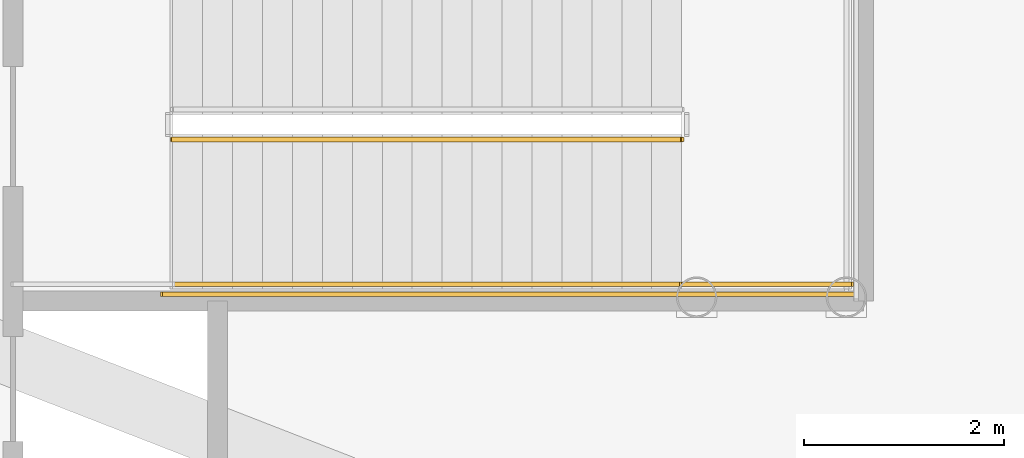
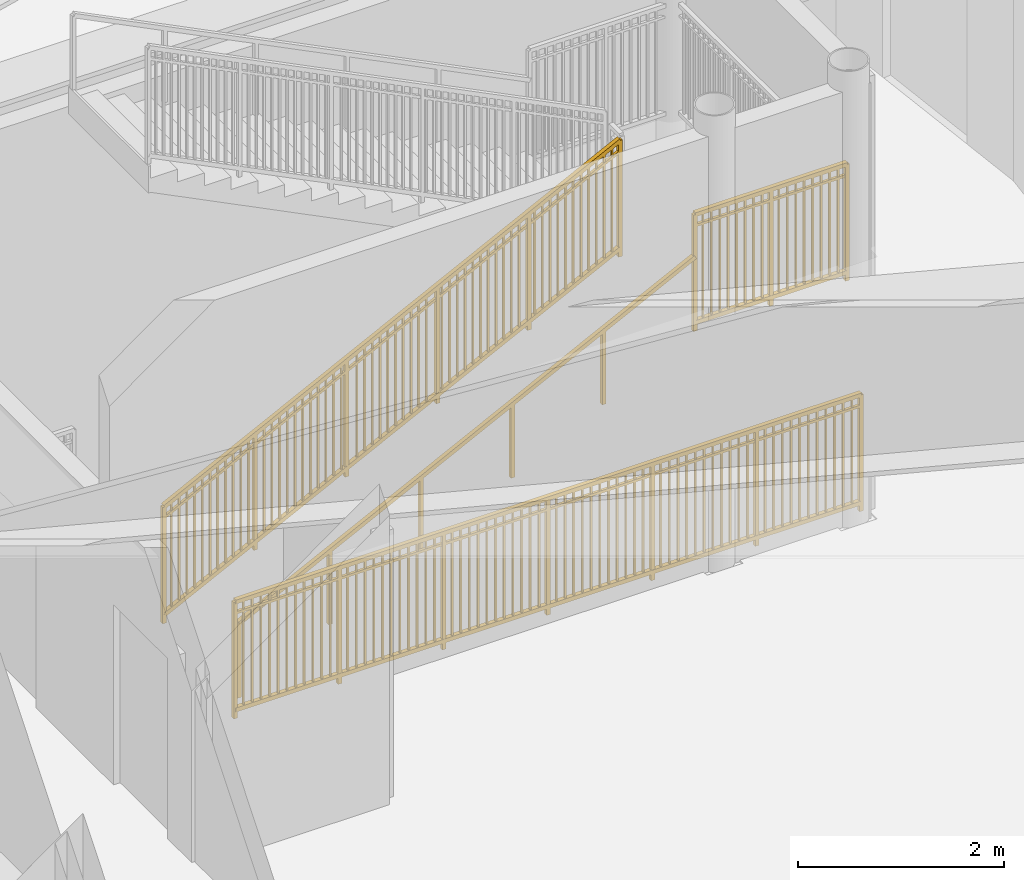
# One storey, part 37 of 39: 4 railings.
"""IFC4 building model written with IfcOpenShell, lengths in metres."""

import ifcopenshell
import ifcopenshell.guid

model = None  # the IFC model being written
_history = None  # IfcOwnerHistory: only IFC2X3 demands one
_inside = {}  # id of a spatial element -> (the spatial element, [elements in it])
_under = {}  # id of a project, library or spatial element -> (it, [spatial elements below it])
_declared = {}  # id of a project -> (the project, [libraries it declares])
_typed = {}  # id of a type object -> (the type object, [elements of that type])
_made_of = {}  # id of a material, layer set ... -> (it, [elements and type objects made of it])


def new_model(schema):
    """Start an empty IFC model of exactly this schema.

    Asked for "IFC4X3", IfcOpenShell would pick the latest addendum, in which some entities
    have other attributes; the version numbers below select the first issue.
    IFC2X3 requires an IfcOwnerHistory on every rooted entity: one is made here for all.
    """
    global model, _history
    if schema == "IFC4X3":
        model = ifcopenshell.file(schema_version=(4, 3, 0, 0))
    else:
        model = ifcopenshell.file(schema=schema)
    _inside.clear()
    _under.clear()
    _declared.clear()
    _typed.clear()
    _made_of.clear()
    _history = None
    if model.schema == "IFC2X3":
        org = make("IfcOrganization", Name="unknown")
        user = make(
            "IfcPersonAndOrganization",
            ThePerson=make("IfcPerson", FamilyName="unknown"),
            TheOrganization=org,
        )
        app = make(
            "IfcApplication",
            ApplicationDeveloper=org,
            Version="unknown",
            ApplicationFullName="unknown",
            ApplicationIdentifier="unknown",
        )
        _history = make(
            "IfcOwnerHistory",
            OwningUser=user,
            OwningApplication=app,
            ChangeAction="ADDED",
            CreationDate=0,
        )
    return model


def make(cls, **values):
    """One entity of the class cls with the attributes given. An attribute that is None is left unset."""
    return model.create_entity(
        cls, **{name: value for name, value in values.items() if value is not None}
    )


def rooted(cls, **values):
    """An entity with a GlobalId (a new one), such as an element, a storey or a relation."""
    return make(cls, GlobalId=ifcopenshell.guid.new(), OwnerHistory=_history, **values)


def si_unit(unit_type, name, prefix=None):
    """IfcSIUnit, for example si_unit("LENGTHUNIT", "METRE", prefix="MILLI")."""
    return make("IfcSIUnit", UnitType=unit_type, Prefix=prefix, Name=name)


def assignment(units):
    """IfcUnitAssignment: the units of a project."""
    return None if units is None else make("IfcUnitAssignment", Units=units)


def point(xyz):
    """IfcCartesianPoint."""
    return None if xyz is None else make("IfcCartesianPoint", Coordinates=xyz)


def direction(xyz):
    """IfcDirection."""
    return None if xyz is None else make("IfcDirection", DirectionRatios=xyz)


def frame(location, z_axis=None, x_axis=None):
    """IfcAxis2Placement3D, a coordinate frame: its origin and axes. An axis left out is left unset."""
    return make(
        "IfcAxis2Placement3D",
        Location=point(location),
        Axis=direction(z_axis),
        RefDirection=direction(x_axis),
    )


def frame_2d(location, x_axis=None):
    """IfcAxis2Placement2D, a coordinate frame in the plane: its origin and x axis."""
    return make(
        "IfcAxis2Placement2D", Location=point(location), RefDirection=direction(x_axis)
    )


def origin():
    """The frame at (0, 0, 0) with its axes left unset."""
    return frame((0.0, 0.0, 0.0))


def origin_2d():
    """The frame at (0, 0) in the plane with its x axis left unset."""
    return frame_2d((0.0, 0.0))


def place(relative_to, where):
    """IfcLocalPlacement: puts the frame where relative to a parent placement (None: the world)."""
    return make(
        "IfcLocalPlacement", PlacementRelTo=relative_to, RelativePlacement=where
    )


def context(
    kind, dimensions, precision=None, world=None, true_north=None, identifier=None
):
    """IfcGeometricRepresentationContext, for example the 3D "Model" context."""
    return make(
        "IfcGeometricRepresentationContext",
        ContextIdentifier=identifier,
        ContextType=kind,
        CoordinateSpaceDimension=dimensions,
        Precision=precision,
        WorldCoordinateSystem=world,
        TrueNorth=true_north,
    )


def subcontext(parent, identifier, kind, view, scale=None):
    """IfcGeometricRepresentationSubContext, for example "Body" below "Model"."""
    return make(
        "IfcGeometricRepresentationSubContext",
        ContextIdentifier=identifier,
        ContextType=kind,
        ParentContext=parent,
        TargetScale=scale,
        TargetView=view,
    )


def project(units=None, contexts=None):
    """IfcProject with its units and contexts."""
    return rooted(
        "IfcProject",
        Name="project",
        RepresentationContexts=contexts,
        UnitsInContext=assignment(units),
    )


def spatial(cls, under=None, at=None, **own):
    """A site, building, storey or space (cls), placed at a placement, below another one or the project."""
    s = rooted(cls, ObjectPlacement=at, **own)
    if under is not None:
        _under.setdefault(under.id(), (under, []))[1].append(s)
    return s


def profile(cls, at=None, kind="AREA", **sizes):
    """A parametric profile (cls). Its sizes go by their IFC names, for example OverallWidth=200.0."""
    return make(cls, ProfileType=kind, Position=at, **sizes)


def rectangle(**sizes):
    """IfcRectangleProfileDef."""
    return profile("IfcRectangleProfileDef", **sizes)


def extrude(swept, where, along, depth):
    """IfcExtrudedAreaSolid: the profile swept, set in the frame where, extruded along a direction by depth."""
    return make(
        "IfcExtrudedAreaSolid",
        SweptArea=swept,
        Position=where,
        ExtrudedDirection=direction(along),
        Depth=depth,
    )


def shape(context_of_items, identifier, shape_type, items):
    """IfcShapeRepresentation: the items that make up one representation, for example the "Body"."""
    return make(
        "IfcShapeRepresentation",
        ContextOfItems=context_of_items,
        RepresentationIdentifier=identifier,
        RepresentationType=shape_type,
        Items=items,
    )


def source(mapping_origin, context_of_items, identifier, shape_type, items):
    """IfcRepresentationMap: a shape defined once, which mapped items show again and again."""
    return make(
        "IfcRepresentationMap",
        MappingOrigin=mapping_origin,
        MappedRepresentation=shape(context_of_items, identifier, shape_type, items),
    )


def transform(
    local_origin,
    x_axis=None,
    y_axis=None,
    z_axis=None,
    scale=None,
    scale2=None,
    scale3=None,
    uniform=True,
):
    """IfcCartesianTransformationOperator3D, or its non-uniform kind. x_axis, y_axis, z_axis: its Axis1, 2, 3."""
    if uniform:
        return make(
            "IfcCartesianTransformationOperator3D",
            Axis1=direction(x_axis),
            Axis2=direction(y_axis),
            LocalOrigin=point(local_origin),
            Scale=scale,
            Axis3=direction(z_axis),
        )
    return make(
        "IfcCartesianTransformationOperator3DnonUniform",
        Axis1=direction(x_axis),
        Axis2=direction(y_axis),
        LocalOrigin=point(local_origin),
        Scale=scale,
        Axis3=direction(z_axis),
        Scale2=scale2,
        Scale3=scale3,
    )


def mapped(mapping_source, mapping_target):
    """IfcMappedItem: shows the shape of a source again, moved by a transform."""
    return make(
        "IfcMappedItem", MappingSource=mapping_source, MappingTarget=mapping_target
    )


def material(Name=None, Category=None):
    """IfcMaterial."""
    return make("IfcMaterial", Name=Name, Category=Category)


def made_of(thing, what):
    """Note that an element or type object is made of a material, layer set ...; save() writes the relation."""
    if what is not None:
        _made_of.setdefault(what.id(), (what, []))[1].append(thing)
    return thing


def type_object(cls, material=None, **own):
    """A type object (cls), such as IfcWallType, which elements share."""
    return made_of(rooted(cls, **own), material)


def element(
    cls,
    number,
    at=None,
    inside=None,
    cuts=None,
    type_object=None,
    material=None,
    context=None,
    identifier="Body",
    shape_type=None,
    held_by="IfcProductDefinitionShape",
    body=None,
    shapes=None,
    **own,
):
    """One element of the class cls, such as IfcWall. Its Tag is "e" and its number.

    at: its placement. inside: the storey or other place that contains it. cuts: it is an
    opening in that element (IfcRelVoidsElement). A single representation is given by context,
    identifier, shape_type and body (its items); several are given by shapes. held_by: the class
    of the entity that holds the representations. save() writes the other relations.
    """
    e = rooted(cls, Tag="e%d" % number, ObjectPlacement=at, **own)
    if body is not None:
        shapes = [shape(context, identifier, shape_type, body)]
    if shapes is not None:
        e.Representation = make(held_by, Representations=shapes)
    if inside is not None:
        _inside.setdefault(inside.id(), (inside, []))[1].append(e)
    if cuts is not None:
        rooted(
            "IfcRelVoidsElement", RelatingBuildingElement=cuts, RelatedOpeningElement=e
        )
    if type_object is not None:
        _typed.setdefault(type_object.id(), (type_object, []))[1].append(e)
    return made_of(e, material)


def aggregate(whole, parts):
    """IfcRelAggregates: a whole, such as a stair, and the parts it consists of."""
    return rooted("IfcRelAggregates", RelatingObject=whole, RelatedObjects=parts)


def save(model, path):
    """Write the relations noted so far, then the file.

    IfcRelAggregates (storeys below a building ...), IfcRelContainedInSpatialStructure (elements
    in a storey), IfcRelDefinesByType, IfcRelAssociatesMaterial and IfcRelDeclares: one each for
    every whole, place, type object, material and project.
    """
    for whole, parts in _under.values():
        aggregate(whole, parts)
    for where, things in _inside.values():
        rooted(
            "IfcRelContainedInSpatialStructure",
            RelatedElements=things,
            RelatingStructure=where,
        )
    for kind, things in _typed.values():
        rooted("IfcRelDefinesByType", RelatedObjects=things, RelatingType=kind)
    for what, things in _made_of.values():
        rooted("IfcRelAssociatesMaterial", RelatedObjects=things, RelatingMaterial=what)
    for by, libraries in _declared.values():
        rooted("IfcRelDeclares", RelatingContext=by, RelatedDefinitions=libraries)
    model.write(path)


model = new_model("IFC4")

# Units and contexts
model_context = context("Model", 3, precision=1e-05, world=origin(), true_north=direction((0.0, 1.0)))
body_context = subcontext(model_context, "Body", "Model", "MODEL_VIEW")
ifc_project = project(units=[si_unit("LENGTHUNIT", "METRE"), si_unit("AREAUNIT", "SQUARE_METRE"), si_unit("VOLUMEUNIT", "CUBIC_METRE"), si_unit("PLANEANGLEUNIT", "RADIAN"), si_unit("MASSUNIT", "GRAM", prefix="KILO")], contexts=[model_context])

# Site, building, storey
site_placement = place(None, origin())
site = spatial("IfcSite", under=ifc_project, at=site_placement, CompositionType="ELEMENT")
building_placement = place(site_placement, origin())
building = spatial("IfcBuilding", under=site, at=building_placement, Name="Linh Dai School and Residence Tower", CompositionType="ELEMENT")
storey_placement = place(building_placement, frame((0.0, 0.0, 27.0)))
storey = spatial("IfcBuildingStorey", under=building, at=storey_placement, Name="L06", CompositionType="ELEMENT", Elevation=27.0)

# Railings
ifc_material_1 = material(Name="Structural Steel S355JR", Category="steel")
railing_type_1 = type_object("IfcRailingType", Name="RL-ST-GUARD-1400", PredefinedType="GUARDRAIL", material=ifc_material_1)
shared_shape_1 = source(origin(), body_context, "Body", "SweptSolid", [
    extrude(rectangle(XDim=0.048095703125, YDim=0.048095703125, at=origin_2d()), frame((0.0, 0.0, 1.3759765625), z_axis=(1.0, 0.0, 0.0), x_axis=(0.0, 1.0, 0.0)), (0.0, 0.0, 1.0), 7.0),
    extrude(rectangle(XDim=0.048095703125, YDim=0.048095703125, at=origin_2d()), frame((0.0, 0.0, 0.10009765625), z_axis=(1.0, 0.0, 0.0), x_axis=(0.0, 1.0, 0.0)), (0.0, 0.0, 1.0), 7.0),
    extrude(rectangle(XDim=0.030029296875, YDim=0.030029296875, at=origin_2d()), frame((0.0, 0.0, 1.239990234375), z_axis=(1.0, 0.0, 0.0), x_axis=(0.0, 1.0, 0.0)), (0.0, 0.0, 1.0), 7.0),
    extrude(rectangle(XDim=0.02001953125, YDim=0.02001953125, at=origin_2d()), frame((0.09716796875, 0.0, 0.10009765625)), (0.0, 0.0, 1.0), 1.251708984375),
    extrude(rectangle(XDim=0.02001953125, YDim=0.02001953125, at=origin_2d()), frame((0.1943359375, 0.0, 0.10009765625)), (0.0, 0.0, 1.0), 1.251708984375),
    extrude(rectangle(XDim=0.02001953125, YDim=0.02001953125, at=origin_2d()), frame((0.291748046875, 0.0, 0.10009765625)), (0.0, 0.0, 1.0), 1.251708984375),
    extrude(rectangle(XDim=0.02001953125, YDim=0.02001953125, at=origin_2d()), frame((0.388916015625, 0.0, 0.10009765625)), (0.0, 0.0, 1.0), 1.251708984375),
    extrude(rectangle(XDim=0.02001953125, YDim=0.02001953125, at=origin_2d()), frame((0.486083984375, 0.0, 0.10009765625)), (0.0, 0.0, 1.0), 1.251708984375),
    extrude(rectangle(XDim=0.02001953125, YDim=0.02001953125, at=origin_2d()), frame((0.583251953125, 0.0, 0.10009765625)), (0.0, 0.0, 1.0), 1.251708984375),
    extrude(rectangle(XDim=0.02001953125, YDim=0.02001953125, at=origin_2d()), frame((0.6806640625, 0.0, 0.10009765625)), (0.0, 0.0, 1.0), 1.251708984375),
    extrude(rectangle(XDim=0.02001953125, YDim=0.02001953125, at=origin_2d()), frame((0.77783203125, 0.0, 0.10009765625)), (0.0, 0.0, 1.0), 1.251708984375),
    extrude(rectangle(XDim=0.02001953125, YDim=0.02001953125, at=origin_2d()), frame((0.875, 0.0, 0.10009765625)), (0.0, 0.0, 1.0), 1.251708984375),
    extrude(rectangle(XDim=0.02001953125, YDim=0.02001953125, at=origin_2d()), frame((0.97216796875, 0.0, 0.10009765625)), (0.0, 0.0, 1.0), 1.251708984375),
    extrude(rectangle(XDim=0.02001953125, YDim=0.02001953125, at=origin_2d()), frame((1.0693359375, 0.0, 0.10009765625)), (0.0, 0.0, 1.0), 1.251708984375),
    extrude(rectangle(XDim=0.02001953125, YDim=0.02001953125, at=origin_2d()), frame((1.263916015625, 0.0, 0.10009765625)), (0.0, 0.0, 1.0), 1.251708984375),
    extrude(rectangle(XDim=0.02001953125, YDim=0.02001953125, at=origin_2d()), frame((1.361083984375, 0.0, 0.10009765625)), (0.0, 0.0, 1.0), 1.251708984375),
    extrude(rectangle(XDim=0.02001953125, YDim=0.02001953125, at=origin_2d()), frame((1.458251953125, 0.0, 0.10009765625)), (0.0, 0.0, 1.0), 1.251708984375),
    extrude(rectangle(XDim=0.02001953125, YDim=0.02001953125, at=origin_2d()), frame((1.5556640625, 0.0, 0.10009765625)), (0.0, 0.0, 1.0), 1.251708984375),
    extrude(rectangle(XDim=0.02001953125, YDim=0.02001953125, at=origin_2d()), frame((1.65283203125, 0.0, 0.10009765625)), (0.0, 0.0, 1.0), 1.251708984375),
    extrude(rectangle(XDim=0.02001953125, YDim=0.02001953125, at=origin_2d()), frame((1.75, 0.0, 0.10009765625)), (0.0, 0.0, 1.0), 1.251708984375),
    extrude(rectangle(XDim=0.02001953125, YDim=0.02001953125, at=origin_2d()), frame((1.84716796875, 0.0, 0.10009765625)), (0.0, 0.0, 1.0), 1.251708984375),
    extrude(rectangle(XDim=0.02001953125, YDim=0.02001953125, at=origin_2d()), frame((1.9443359375, 0.0, 0.10009765625)), (0.0, 0.0, 1.0), 1.251708984375),
    extrude(rectangle(XDim=0.02001953125, YDim=0.02001953125, at=origin_2d()), frame((2.041748046875, 0.0, 0.10009765625)), (0.0, 0.0, 1.0), 1.251708984375),
    extrude(rectangle(XDim=0.02001953125, YDim=0.02001953125, at=origin_2d()), frame((2.138916015625, 0.0, 0.10009765625)), (0.0, 0.0, 1.0), 1.251708984375),
    extrude(rectangle(XDim=0.02001953125, YDim=0.02001953125, at=origin_2d()), frame((2.236083984375, 0.0, 0.10009765625)), (0.0, 0.0, 1.0), 1.251708984375),
    extrude(rectangle(XDim=0.02001953125, YDim=0.02001953125, at=origin_2d()), frame((2.4306640625, 0.0, 0.10009765625)), (0.0, 0.0, 1.0), 1.251708984375),
    extrude(rectangle(XDim=0.02001953125, YDim=0.02001953125, at=origin_2d()), frame((2.52783203125, 0.0, 0.10009765625)), (0.0, 0.0, 1.0), 1.251708984375),
    extrude(rectangle(XDim=0.02001953125, YDim=0.02001953125, at=origin_2d()), frame((2.625, 0.0, 0.10009765625)), (0.0, 0.0, 1.0), 1.251708984375),
    extrude(rectangle(XDim=0.02001953125, YDim=0.02001953125, at=origin_2d()), frame((2.72216796875, 0.0, 0.10009765625)), (0.0, 0.0, 1.0), 1.251708984375),
    extrude(rectangle(XDim=0.02001953125, YDim=0.02001953125, at=origin_2d()), frame((2.8193359375, 0.0, 0.10009765625)), (0.0, 0.0, 1.0), 1.251708984375),
    extrude(rectangle(XDim=0.02001953125, YDim=0.02001953125, at=origin_2d()), frame((2.916748046875, 0.0, 0.10009765625)), (0.0, 0.0, 1.0), 1.251708984375),
    extrude(rectangle(XDim=0.02001953125, YDim=0.02001953125, at=origin_2d()), frame((3.013916015625, 0.0, 0.10009765625)), (0.0, 0.0, 1.0), 1.251708984375),
    extrude(rectangle(XDim=0.02001953125, YDim=0.02001953125, at=origin_2d()), frame((3.111083984375, 0.0, 0.10009765625)), (0.0, 0.0, 1.0), 1.251708984375),
    extrude(rectangle(XDim=0.02001953125, YDim=0.02001953125, at=origin_2d()), frame((3.208251953125, 0.0, 0.10009765625)), (0.0, 0.0, 1.0), 1.251708984375),
    extrude(rectangle(XDim=0.02001953125, YDim=0.02001953125, at=origin_2d()), frame((3.3056640625, 0.0, 0.10009765625)), (0.0, 0.0, 1.0), 1.251708984375),
    extrude(rectangle(XDim=0.02001953125, YDim=0.02001953125, at=origin_2d()), frame((3.40283203125, 0.0, 0.10009765625)), (0.0, 0.0, 1.0), 1.251708984375),
    extrude(rectangle(XDim=0.02001953125, YDim=0.02001953125, at=origin_2d()), frame((3.59716796875, 0.0, 0.10009765625)), (0.0, 0.0, 1.0), 1.251708984375),
    extrude(rectangle(XDim=0.02001953125, YDim=0.02001953125, at=origin_2d()), frame((3.6943359375, 0.0, 0.10009765625)), (0.0, 0.0, 1.0), 1.251708984375),
    extrude(rectangle(XDim=0.02001953125, YDim=0.02001953125, at=origin_2d()), frame((3.791748046875, 0.0, 0.10009765625)), (0.0, 0.0, 1.0), 1.251708984375),
    extrude(rectangle(XDim=0.02001953125, YDim=0.02001953125, at=origin_2d()), frame((3.888916015625, 0.0, 0.10009765625)), (0.0, 0.0, 1.0), 1.251708984375),
    extrude(rectangle(XDim=0.02001953125, YDim=0.02001953125, at=origin_2d()), frame((3.986083984375, 0.0, 0.10009765625)), (0.0, 0.0, 1.0), 1.251708984375),
    extrude(rectangle(XDim=0.02001953125, YDim=0.02001953125, at=origin_2d()), frame((4.083251953125, 0.0, 0.10009765625)), (0.0, 0.0, 1.0), 1.251708984375),
    extrude(rectangle(XDim=0.02001953125, YDim=0.02001953125, at=origin_2d()), frame((4.1806640625, 0.0, 0.10009765625)), (0.0, 0.0, 1.0), 1.251708984375),
    extrude(rectangle(XDim=0.02001953125, YDim=0.02001953125, at=origin_2d()), frame((4.27783203125, 0.0, 0.10009765625)), (0.0, 0.0, 1.0), 1.251708984375),
    extrude(rectangle(XDim=0.02001953125, YDim=0.02001953125, at=origin_2d()), frame((4.375, 0.0, 0.10009765625)), (0.0, 0.0, 1.0), 1.251708984375),
    extrude(rectangle(XDim=0.02001953125, YDim=0.02001953125, at=origin_2d()), frame((4.47216796875, 0.0, 0.10009765625)), (0.0, 0.0, 1.0), 1.251708984375),
    extrude(rectangle(XDim=0.02001953125, YDim=0.02001953125, at=origin_2d()), frame((4.5693359375, 0.0, 0.10009765625)), (0.0, 0.0, 1.0), 1.251708984375),
    extrude(rectangle(XDim=0.02001953125, YDim=0.02001953125, at=origin_2d()), frame((4.763916015625, 0.0, 0.10009765625)), (0.0, 0.0, 1.0), 1.251708984375),
    extrude(rectangle(XDim=0.02001953125, YDim=0.02001953125, at=origin_2d()), frame((4.861083984375, 0.0, 0.10009765625)), (0.0, 0.0, 1.0), 1.251708984375),
    extrude(rectangle(XDim=0.02001953125, YDim=0.02001953125, at=origin_2d()), frame((4.958251953125, 0.0, 0.10009765625)), (0.0, 0.0, 1.0), 1.251708984375),
    extrude(rectangle(XDim=0.02001953125, YDim=0.02001953125, at=origin_2d()), frame((5.0556640625, 0.0, 0.10009765625)), (0.0, 0.0, 1.0), 1.251708984375),
    extrude(rectangle(XDim=0.02001953125, YDim=0.02001953125, at=origin_2d()), frame((5.15283203125, 0.0, 0.10009765625)), (0.0, 0.0, 1.0), 1.251708984375),
    extrude(rectangle(XDim=0.02001953125, YDim=0.02001953125, at=origin_2d()), frame((5.25, 0.0, 0.10009765625)), (0.0, 0.0, 1.0), 1.251708984375),
    extrude(rectangle(XDim=0.02001953125, YDim=0.02001953125, at=origin_2d()), frame((5.34716796875, 0.0, 0.10009765625)), (0.0, 0.0, 1.0), 1.251708984375),
    extrude(rectangle(XDim=0.02001953125, YDim=0.02001953125, at=origin_2d()), frame((5.4443359375, 0.0, 0.10009765625)), (0.0, 0.0, 1.0), 1.251708984375),
    extrude(rectangle(XDim=0.02001953125, YDim=0.02001953125, at=origin_2d()), frame((5.541748046875, 0.0, 0.10009765625)), (0.0, 0.0, 1.0), 1.251708984375),
    extrude(rectangle(XDim=0.02001953125, YDim=0.02001953125, at=origin_2d()), frame((5.638916015625, 0.0, 0.10009765625)), (0.0, 0.0, 1.0), 1.251708984375),
    extrude(rectangle(XDim=0.02001953125, YDim=0.02001953125, at=origin_2d()), frame((5.736083984375, 0.0, 0.10009765625)), (0.0, 0.0, 1.0), 1.251708984375),
    extrude(rectangle(XDim=0.02001953125, YDim=0.02001953125, at=origin_2d()), frame((5.9306640625, 0.0, 0.10009765625)), (0.0, 0.0, 1.0), 1.251708984375),
    extrude(rectangle(XDim=0.02001953125, YDim=0.02001953125, at=origin_2d()), frame((6.02783203125, 0.0, 0.10009765625)), (0.0, 0.0, 1.0), 1.251708984375),
    extrude(rectangle(XDim=0.02001953125, YDim=0.02001953125, at=origin_2d()), frame((6.125, 0.0, 0.10009765625)), (0.0, 0.0, 1.0), 1.251708984375),
    extrude(rectangle(XDim=0.02001953125, YDim=0.02001953125, at=origin_2d()), frame((6.22216796875, 0.0, 0.10009765625)), (0.0, 0.0, 1.0), 1.251708984375),
    extrude(rectangle(XDim=0.02001953125, YDim=0.02001953125, at=origin_2d()), frame((6.3193359375, 0.0, 0.10009765625)), (0.0, 0.0, 1.0), 1.251708984375),
    extrude(rectangle(XDim=0.02001953125, YDim=0.02001953125, at=origin_2d()), frame((6.416748046875, 0.0, 0.10009765625)), (0.0, 0.0, 1.0), 1.251708984375),
    extrude(rectangle(XDim=0.02001953125, YDim=0.02001953125, at=origin_2d()), frame((6.513916015625, 0.0, 0.10009765625)), (0.0, 0.0, 1.0), 1.251708984375),
    extrude(rectangle(XDim=0.02001953125, YDim=0.02001953125, at=origin_2d()), frame((6.611083984375, 0.0, 0.10009765625)), (0.0, 0.0, 1.0), 1.251708984375),
    extrude(rectangle(XDim=0.02001953125, YDim=0.02001953125, at=origin_2d()), frame((6.708251953125, 0.0, 0.10009765625)), (0.0, 0.0, 1.0), 1.251708984375),
    extrude(rectangle(XDim=0.02001953125, YDim=0.02001953125, at=origin_2d()), frame((6.8056640625, 0.0, 0.10009765625)), (0.0, 0.0, 1.0), 1.251708984375),
    extrude(rectangle(XDim=0.02001953125, YDim=0.02001953125, at=origin_2d()), frame((6.90283203125, 0.0, 0.10009765625)), (0.0, 0.0, 1.0), 1.251708984375),
    extrude(rectangle(XDim=0.0419921875, YDim=0.0419921875, at=origin_2d()), origin(), (0.0, 0.0, 1.0), 1.3759765625),
    extrude(rectangle(XDim=0.0419921875, YDim=0.0419921875, at=origin_2d()), frame((1.166748046875, 0.0, 0.0)), (0.0, 0.0, 1.0), 1.3759765625),
    extrude(rectangle(XDim=0.0419921875, YDim=0.0419921875, at=origin_2d()), frame((2.333251953125, 0.0, 0.0)), (0.0, 0.0, 1.0), 1.3759765625),
    extrude(rectangle(XDim=0.0419921875, YDim=0.0419921875, at=origin_2d()), frame((3.5, 0.0, 0.0)), (0.0, 0.0, 1.0), 1.3759765625),
    extrude(rectangle(XDim=0.0419921875, YDim=0.0419921875, at=origin_2d()), frame((4.666748046875, 0.0, 0.0)), (0.0, 0.0, 1.0), 1.3759765625),
    extrude(rectangle(XDim=0.0419921875, YDim=0.0419921875, at=origin_2d()), frame((5.833251953125, 0.0, 0.0)), (0.0, 0.0, 1.0), 1.3759765625),
    extrude(rectangle(XDim=0.0419921875, YDim=0.0419921875, at=origin_2d()), frame((7.0, 0.0, 0.0)), (0.0, 0.0, 1.0), 1.3759765625),
])
railing_1_placement = place(storey_placement, frame((49.5, 22.949951171875, 0.0)))
element("IfcRailing", 1, at=railing_1_placement, inside=storey, type_object=railing_type_1, Name="L06 STS2 stair guard 10", PredefinedType="GUARDRAIL", context=body_context, shape_type="MappedRepresentation", body=[
    mapped(shared_shape_1, transform((0.0, 0.0, 0.0), x_axis=(1.0, 0.0, 0.0), y_axis=(0.0, 1.0, 0.0), z_axis=(0.0, 0.0, 1.0), scale=1.0)),
])
shared_shape_2 = source(origin(), body_context, "Body", "SweptSolid", [
    extrude(rectangle(XDim=0.048095703125, YDim=0.048095703125, at=origin_2d()), frame((0.0, 0.0, 1.3759765625), z_axis=(0.894418627299, 0.0, 0.447230722492), x_axis=(0.0, 1.0, 0.0)), (0.0, 0.0, 1.0), 5.701904296875),
    extrude(rectangle(XDim=0.048095703125, YDim=0.048095703125, at=origin_2d()), frame((0.0, 0.0, 0.10009765625), z_axis=(0.894418627299, 0.0, 0.447230722492), x_axis=(0.0, 1.0, 0.0)), (0.0, 0.0, 1.0), 5.701904296875),
    extrude(rectangle(XDim=0.030029296875, YDim=0.030029296875, at=origin_2d()), frame((0.0, 0.0, 1.239990234375), z_axis=(0.894418627299, 0.0, 0.447230722492), x_axis=(0.0, 1.0, 0.0)), (0.0, 0.0, 1.0), 5.701904296875),
    extrude(rectangle(XDim=0.02001953125, YDim=0.02001953125, at=origin_2d()), frame((0.08642578125, 0.0, 0.143310546875)), (0.0, 0.0, 1.0), 1.251708984375),
    extrude(rectangle(XDim=0.02001953125, YDim=0.02001953125, at=origin_2d()), frame((0.1728515625, 0.0, 0.1865234375)), (0.0, 0.0, 1.0), 1.251708984375),
    extrude(rectangle(XDim=0.02001953125, YDim=0.02001953125, at=origin_2d()), frame((0.25927734375, 0.0, 0.229736328125)), (0.0, 0.0, 1.0), 1.251708984375),
    extrude(rectangle(XDim=0.02001953125, YDim=0.02001953125, at=origin_2d()), frame((0.345703125, 0.0, 0.27294921875)), (0.0, 0.0, 1.0), 1.251708984375),
    extrude(rectangle(XDim=0.02001953125, YDim=0.02001953125, at=origin_2d()), frame((0.43212890625, 0.0, 0.316162109375)), (0.0, 0.0, 1.0), 1.251708984375),
    extrude(rectangle(XDim=0.02001953125, YDim=0.02001953125, at=origin_2d()), frame((0.5185546875, 0.0, 0.359375)), (0.0, 0.0, 1.0), 1.251708984375),
    extrude(rectangle(XDim=0.02001953125, YDim=0.02001953125, at=origin_2d()), frame((0.60498046875, 0.0, 0.402587890625)), (0.0, 0.0, 1.0), 1.251708984375),
    extrude(rectangle(XDim=0.02001953125, YDim=0.02001953125, at=origin_2d()), frame((0.69140625, 0.0, 0.44580078125)), (0.0, 0.0, 1.0), 1.251708984375),
    extrude(rectangle(XDim=0.02001953125, YDim=0.02001953125, at=origin_2d()), frame((0.77783203125, 0.0, 0.489013671875)), (0.0, 0.0, 1.0), 1.251708984375),
    extrude(rectangle(XDim=0.02001953125, YDim=0.02001953125, at=origin_2d()), frame((0.864501953125, 0.0, 0.5322265625)), (0.0, 0.0, 1.0), 1.251708984375),
    extrude(rectangle(XDim=0.02001953125, YDim=0.02001953125, at=origin_2d()), frame((0.950927734375, 0.0, 0.575439453125)), (0.0, 0.0, 1.0), 1.251708984375),
    extrude(rectangle(XDim=0.02001953125, YDim=0.02001953125, at=origin_2d()), frame((1.123779296875, 0.0, 0.661865234375)), (0.0, 0.0, 1.0), 1.251708984375),
    extrude(rectangle(XDim=0.02001953125, YDim=0.02001953125, at=origin_2d()), frame((1.210205078125, 0.0, 0.705078125)), (0.0, 0.0, 1.0), 1.251708984375),
    extrude(rectangle(XDim=0.02001953125, YDim=0.02001953125, at=origin_2d()), frame((1.296630859375, 0.0, 0.74853515625)), (0.0, 0.0, 1.0), 1.251708984375),
    extrude(rectangle(XDim=0.02001953125, YDim=0.02001953125, at=origin_2d()), frame((1.383056640625, 0.0, 0.791748046875)), (0.0, 0.0, 1.0), 1.251708984375),
    extrude(rectangle(XDim=0.02001953125, YDim=0.02001953125, at=origin_2d()), frame((1.469482421875, 0.0, 0.8349609375)), (0.0, 0.0, 1.0), 1.251708984375),
    extrude(rectangle(XDim=0.02001953125, YDim=0.02001953125, at=origin_2d()), frame((1.555908203125, 0.0, 0.878173828125)), (0.0, 0.0, 1.0), 1.251708984375),
    extrude(rectangle(XDim=0.02001953125, YDim=0.02001953125, at=origin_2d()), frame((1.642333984375, 0.0, 0.92138671875)), (0.0, 0.0, 1.0), 1.251708984375),
    extrude(rectangle(XDim=0.02001953125, YDim=0.02001953125, at=origin_2d()), frame((1.728759765625, 0.0, 0.964599609375)), (0.0, 0.0, 1.0), 1.251708984375),
    extrude(rectangle(XDim=0.02001953125, YDim=0.02001953125, at=origin_2d()), frame((1.815185546875, 0.0, 1.0078125)), (0.0, 0.0, 1.0), 1.251708984375),
    extrude(rectangle(XDim=0.02001953125, YDim=0.02001953125, at=origin_2d()), frame((1.901611328125, 0.0, 1.051025390625)), (0.0, 0.0, 1.0), 1.251708984375),
    extrude(rectangle(XDim=0.02001953125, YDim=0.02001953125, at=origin_2d()), frame((1.988037109375, 0.0, 1.09423828125)), (0.0, 0.0, 1.0), 1.251708984375),
    extrude(rectangle(XDim=0.02001953125, YDim=0.02001953125, at=origin_2d()), frame((2.160888671875, 0.0, 1.1806640625)), (0.0, 0.0, 1.0), 1.251708984375),
    extrude(rectangle(XDim=0.02001953125, YDim=0.02001953125, at=origin_2d()), frame((2.247314453125, 0.0, 1.223876953125)), (0.0, 0.0, 1.0), 1.251708984375),
    extrude(rectangle(XDim=0.02001953125, YDim=0.02001953125, at=origin_2d()), frame((2.333740234375, 0.0, 1.26708984375)), (0.0, 0.0, 1.0), 1.251708984375),
    extrude(rectangle(XDim=0.02001953125, YDim=0.02001953125, at=origin_2d()), frame((2.420166015625, 0.0, 1.310302734375)), (0.0, 0.0, 1.0), 1.251708984375),
    extrude(rectangle(XDim=0.02001953125, YDim=0.02001953125, at=origin_2d()), frame((2.506591796875, 0.0, 1.353515625)), (0.0, 0.0, 1.0), 1.251708984375),
    extrude(rectangle(XDim=0.02001953125, YDim=0.02001953125, at=origin_2d()), frame((2.59326171875, 0.0, 1.396728515625)), (0.0, 0.0, 1.0), 1.251708984375),
    extrude(rectangle(XDim=0.02001953125, YDim=0.02001953125, at=origin_2d()), frame((2.6796875, 0.0, 1.43994140625)), (0.0, 0.0, 1.0), 1.251708984375),
    extrude(rectangle(XDim=0.02001953125, YDim=0.02001953125, at=origin_2d()), frame((2.76611328125, 0.0, 1.483154296875)), (0.0, 0.0, 1.0), 1.251708984375),
    extrude(rectangle(XDim=0.02001953125, YDim=0.02001953125, at=origin_2d()), frame((2.8525390625, 0.0, 1.5263671875)), (0.0, 0.0, 1.0), 1.251708984375),
    extrude(rectangle(XDim=0.02001953125, YDim=0.02001953125, at=origin_2d()), frame((2.93896484375, 0.0, 1.569580078125)), (0.0, 0.0, 1.0), 1.251708984375),
    extrude(rectangle(XDim=0.02001953125, YDim=0.02001953125, at=origin_2d()), frame((3.11181640625, 0.0, 1.656005859375)), (0.0, 0.0, 1.0), 1.251708984375),
    extrude(rectangle(XDim=0.02001953125, YDim=0.02001953125, at=origin_2d()), frame((3.1982421875, 0.0, 1.69921875)), (0.0, 0.0, 1.0), 1.251708984375),
    extrude(rectangle(XDim=0.02001953125, YDim=0.02001953125, at=origin_2d()), frame((3.28466796875, 0.0, 1.742431640625)), (0.0, 0.0, 1.0), 1.251708984375),
    extrude(rectangle(XDim=0.02001953125, YDim=0.02001953125, at=origin_2d()), frame((3.37109375, 0.0, 1.78564453125)), (0.0, 0.0, 1.0), 1.251708984375),
    extrude(rectangle(XDim=0.02001953125, YDim=0.02001953125, at=origin_2d()), frame((3.45751953125, 0.0, 1.828857421875)), (0.0, 0.0, 1.0), 1.251708984375),
    extrude(rectangle(XDim=0.02001953125, YDim=0.02001953125, at=origin_2d()), frame((3.5439453125, 0.0, 1.8720703125)), (0.0, 0.0, 1.0), 1.251708984375),
    extrude(rectangle(XDim=0.02001953125, YDim=0.02001953125, at=origin_2d()), frame((3.63037109375, 0.0, 1.915283203125)), (0.0, 0.0, 1.0), 1.251708984375),
    extrude(rectangle(XDim=0.02001953125, YDim=0.02001953125, at=origin_2d()), frame((3.716796875, 0.0, 1.95849609375)), (0.0, 0.0, 1.0), 1.251708984375),
    extrude(rectangle(XDim=0.02001953125, YDim=0.02001953125, at=origin_2d()), frame((3.80322265625, 0.0, 2.001708984375)), (0.0, 0.0, 1.0), 1.251708984375),
    extrude(rectangle(XDim=0.02001953125, YDim=0.02001953125, at=origin_2d()), frame((3.8896484375, 0.0, 2.045166015625)), (0.0, 0.0, 1.0), 1.251708984375),
    extrude(rectangle(XDim=0.02001953125, YDim=0.02001953125, at=origin_2d()), frame((3.97607421875, 0.0, 2.08837890625)), (0.0, 0.0, 1.0), 1.251708984375),
    extrude(rectangle(XDim=0.02001953125, YDim=0.02001953125, at=origin_2d()), frame((4.14892578125, 0.0, 2.1748046875)), (0.0, 0.0, 1.0), 1.251708984375),
    extrude(rectangle(XDim=0.02001953125, YDim=0.02001953125, at=origin_2d()), frame((4.2353515625, 0.0, 2.218017578125)), (0.0, 0.0, 1.0), 1.251708984375),
    extrude(rectangle(XDim=0.02001953125, YDim=0.02001953125, at=origin_2d()), frame((4.322021484375, 0.0, 2.26123046875)), (0.0, 0.0, 1.0), 1.251708984375),
    extrude(rectangle(XDim=0.02001953125, YDim=0.02001953125, at=origin_2d()), frame((4.408447265625, 0.0, 2.304443359375)), (0.0, 0.0, 1.0), 1.251708984375),
    extrude(rectangle(XDim=0.02001953125, YDim=0.02001953125, at=origin_2d()), frame((4.494873046875, 0.0, 2.34765625)), (0.0, 0.0, 1.0), 1.251708984375),
    extrude(rectangle(XDim=0.02001953125, YDim=0.02001953125, at=origin_2d()), frame((4.581298828125, 0.0, 2.390869140625)), (0.0, 0.0, 1.0), 1.251708984375),
    extrude(rectangle(XDim=0.02001953125, YDim=0.02001953125, at=origin_2d()), frame((4.667724609375, 0.0, 2.43408203125)), (0.0, 0.0, 1.0), 1.251708984375),
    extrude(rectangle(XDim=0.02001953125, YDim=0.02001953125, at=origin_2d()), frame((4.754150390625, 0.0, 2.477294921875)), (0.0, 0.0, 1.0), 1.251708984375),
    extrude(rectangle(XDim=0.02001953125, YDim=0.02001953125, at=origin_2d()), frame((4.840576171875, 0.0, 2.5205078125)), (0.0, 0.0, 1.0), 1.251708984375),
    extrude(rectangle(XDim=0.02001953125, YDim=0.02001953125, at=origin_2d()), frame((4.927001953125, 0.0, 2.563720703125)), (0.0, 0.0, 1.0), 1.251708984375),
    extrude(rectangle(XDim=0.02001953125, YDim=0.02001953125, at=origin_2d()), frame((5.013427734375, 0.0, 2.60693359375)), (0.0, 0.0, 1.0), 1.251708984375),
    extrude(rectangle(XDim=0.0419921875, YDim=0.0419921875, at=origin_2d()), origin(), (0.0, 0.0, 1.0), 1.3759765625),
    extrude(rectangle(XDim=0.0419921875, YDim=0.0419921875, at=origin_2d()), frame((1.02001953125, 0.0, 0.510009765625)), (0.0, 0.0, 1.0), 1.3759765625),
    extrude(rectangle(XDim=0.0419921875, YDim=0.0419921875, at=origin_2d()), frame((2.0400390625, 0.0, 1.02001953125)), (0.0, 0.0, 1.0), 1.3759765625),
    extrude(rectangle(XDim=0.0419921875, YDim=0.0419921875, at=origin_2d()), frame((3.059814453125, 0.0, 1.530029296875)), (0.0, 0.0, 1.0), 1.3759765625),
    extrude(rectangle(XDim=0.0419921875, YDim=0.0419921875, at=origin_2d()), frame((4.079833984375, 0.0, 2.0400390625)), (0.0, 0.0, 1.0), 1.3759765625),
    extrude(rectangle(XDim=0.0419921875, YDim=0.0419921875, at=origin_2d()), frame((5.099853515625, 0.0, 2.550048828125)), (0.0, 0.0, 1.0), 1.3759765625),
])
railing_2_placement = place(storey_placement, frame((49.60009765625, 24.5, 0.14990234375)))
element("IfcRailing", 2, at=railing_2_placement, inside=storey, type_object=railing_type_1, Name="L06 STS2 stair guard 1", PredefinedType="GUARDRAIL", context=body_context, shape_type="MappedRepresentation", body=[
    mapped(shared_shape_2, transform((0.0, 0.0, 0.0), x_axis=(1.0, 0.0, 0.0), y_axis=(0.0, 1.0, 0.0), z_axis=(0.0, 0.0, 1.0), scale=1.0)),
])
shared_shape_3 = source(origin(), body_context, "Body", "SweptSolid", [
    extrude(rectangle(XDim=0.048095703125, YDim=0.048095703125, at=origin_2d()), frame((0.0, 0.0, 1.3759765625), z_axis=(1.0, 0.0, 0.0), x_axis=(0.0, 1.0, 0.0)), (0.0, 0.0, 1.0), 1.699951171875),
    extrude(rectangle(XDim=0.048095703125, YDim=0.048095703125, at=origin_2d()), frame((0.0, 0.0, 0.10009765625), z_axis=(1.0, 0.0, 0.0), x_axis=(0.0, 1.0, 0.0)), (0.0, 0.0, 1.0), 1.699951171875),
    extrude(rectangle(XDim=0.030029296875, YDim=0.030029296875, at=origin_2d()), frame((0.0, 0.0, 1.239990234375), z_axis=(1.0, 0.0, 0.0), x_axis=(0.0, 1.0, 0.0)), (0.0, 0.0, 1.0), 1.699951171875),
    extrude(rectangle(XDim=0.02001953125, YDim=0.02001953125, at=origin_2d()), frame((0.094482421875, 0.0, 0.10009765625)), (0.0, 0.0, 1.0), 1.251708984375),
    extrude(rectangle(XDim=0.02001953125, YDim=0.02001953125, at=origin_2d()), frame((0.18896484375, 0.0, 0.10009765625)), (0.0, 0.0, 1.0), 1.251708984375),
    extrude(rectangle(XDim=0.02001953125, YDim=0.02001953125, at=origin_2d()), frame((0.283203125, 0.0, 0.10009765625)), (0.0, 0.0, 1.0), 1.251708984375),
    extrude(rectangle(XDim=0.02001953125, YDim=0.02001953125, at=origin_2d()), frame((0.377685546875, 0.0, 0.10009765625)), (0.0, 0.0, 1.0), 1.251708984375),
    extrude(rectangle(XDim=0.02001953125, YDim=0.02001953125, at=origin_2d()), frame((0.47216796875, 0.0, 0.10009765625)), (0.0, 0.0, 1.0), 1.251708984375),
    extrude(rectangle(XDim=0.02001953125, YDim=0.02001953125, at=origin_2d()), frame((0.566650390625, 0.0, 0.10009765625)), (0.0, 0.0, 1.0), 1.251708984375),
    extrude(rectangle(XDim=0.02001953125, YDim=0.02001953125, at=origin_2d()), frame((0.6611328125, 0.0, 0.10009765625)), (0.0, 0.0, 1.0), 1.251708984375),
    extrude(rectangle(XDim=0.02001953125, YDim=0.02001953125, at=origin_2d()), frame((0.755615234375, 0.0, 0.10009765625)), (0.0, 0.0, 1.0), 1.251708984375),
    extrude(rectangle(XDim=0.02001953125, YDim=0.02001953125, at=origin_2d()), frame((0.9443359375, 0.0, 0.10009765625)), (0.0, 0.0, 1.0), 1.251708984375),
    extrude(rectangle(XDim=0.02001953125, YDim=0.02001953125, at=origin_2d()), frame((1.038818359375, 0.0, 0.10009765625)), (0.0, 0.0, 1.0), 1.251708984375),
    extrude(rectangle(XDim=0.02001953125, YDim=0.02001953125, at=origin_2d()), frame((1.13330078125, 0.0, 0.10009765625)), (0.0, 0.0, 1.0), 1.251708984375),
    extrude(rectangle(XDim=0.02001953125, YDim=0.02001953125, at=origin_2d()), frame((1.227783203125, 0.0, 0.10009765625)), (0.0, 0.0, 1.0), 1.251708984375),
    extrude(rectangle(XDim=0.02001953125, YDim=0.02001953125, at=origin_2d()), frame((1.322265625, 0.0, 0.10009765625)), (0.0, 0.0, 1.0), 1.251708984375),
    extrude(rectangle(XDim=0.02001953125, YDim=0.02001953125, at=origin_2d()), frame((1.41650390625, 0.0, 0.10009765625)), (0.0, 0.0, 1.0), 1.251708984375),
    extrude(rectangle(XDim=0.02001953125, YDim=0.02001953125, at=origin_2d()), frame((1.510986328125, 0.0, 0.10009765625)), (0.0, 0.0, 1.0), 1.251708984375),
    extrude(rectangle(XDim=0.02001953125, YDim=0.02001953125, at=origin_2d()), frame((1.60546875, 0.0, 0.10009765625)), (0.0, 0.0, 1.0), 1.251708984375),
    extrude(rectangle(XDim=0.0419921875, YDim=0.0419921875, at=origin_2d()), origin(), (0.0, 0.0, 1.0), 1.3759765625),
    extrude(rectangle(XDim=0.0419921875, YDim=0.0419921875, at=origin_2d()), frame((0.85009765625, 0.0, 0.0)), (0.0, 0.0, 1.0), 1.3759765625),
    extrude(rectangle(XDim=0.0419921875, YDim=0.0419921875, at=origin_2d()), frame((1.699951171875, 0.0, 0.0)), (0.0, 0.0, 1.0), 1.3759765625),
])
railing_3_placement = place(storey_placement, frame((54.699951171875, 23.050048828125, 2.699951171875)))
element("IfcRailing", 3, at=railing_3_placement, inside=storey, type_object=railing_type_1, Name="L06 STS2 stair guard 3", PredefinedType="GUARDRAIL", context=body_context, shape_type="MappedRepresentation", body=[
    mapped(shared_shape_3, transform((0.0, 0.0, 0.0), x_axis=(1.0, 0.0, 0.0), y_axis=(0.0, 1.0, 0.0), z_axis=(0.0, 0.0, 1.0), scale=1.0)),
])
ifc_material_2 = material(Name="Brushed Stainless Steel Handrail", Category="steel")
railing_type_2 = type_object("IfcRailingType", Name="RL-ST-HANDRAIL-900", PredefinedType="HANDRAIL", material=ifc_material_2)
shared_shape_4 = source(origin(), body_context, "Body", "SweptSolid", [
    extrude(rectangle(XDim=0.048095703125, YDim=0.048095703125, at=origin_2d()), frame((0.0, 0.0, 0.8759765625), z_axis=(0.894418627299, 0.0, 0.447230722492), x_axis=(0.0, 1.0, 0.0)), (0.0, 0.0, 1.0), 5.701904296875),
    extrude(rectangle(XDim=0.0419921875, YDim=0.0419921875, at=origin_2d()), origin(), (0.0, 0.0, 1.0), 0.8759765625),
    extrude(rectangle(XDim=0.0419921875, YDim=0.0419921875, at=origin_2d()), frame((1.02001953125, 0.0, 0.510009765625)), (0.0, 0.0, 1.0), 0.8759765625),
    extrude(rectangle(XDim=0.0419921875, YDim=0.0419921875, at=origin_2d()), frame((2.0400390625, 0.0, 1.02001953125)), (0.0, 0.0, 1.0), 0.8759765625),
    extrude(rectangle(XDim=0.0419921875, YDim=0.0419921875, at=origin_2d()), frame((3.059814453125, 0.0, 1.530029296875)), (0.0, 0.0, 1.0), 0.8759765625),
    extrude(rectangle(XDim=0.0419921875, YDim=0.0419921875, at=origin_2d()), frame((4.079833984375, 0.0, 2.0400390625)), (0.0, 0.0, 1.0), 0.8759765625),
    extrude(rectangle(XDim=0.0419921875, YDim=0.0419921875, at=origin_2d()), frame((5.099853515625, 0.0, 2.550048828125)), (0.0, 0.0, 1.0), 0.8759765625),
])
railing_4_placement = place(storey_placement, frame((49.60009765625, 23.050048828125, 0.14990234375)))
element("IfcRailing", 4, at=railing_4_placement, inside=storey, type_object=railing_type_2, Name="L06 STS2 stair handrail 1", PredefinedType="HANDRAIL", context=body_context, shape_type="MappedRepresentation", body=[
    mapped(shared_shape_4, transform((0.0, 0.0, 0.0), x_axis=(1.0, 0.0, 0.0), y_axis=(0.0, 1.0, 0.0), z_axis=(0.0, 0.0, 1.0), scale=1.0)),
])

save(model, "model.ifc")
